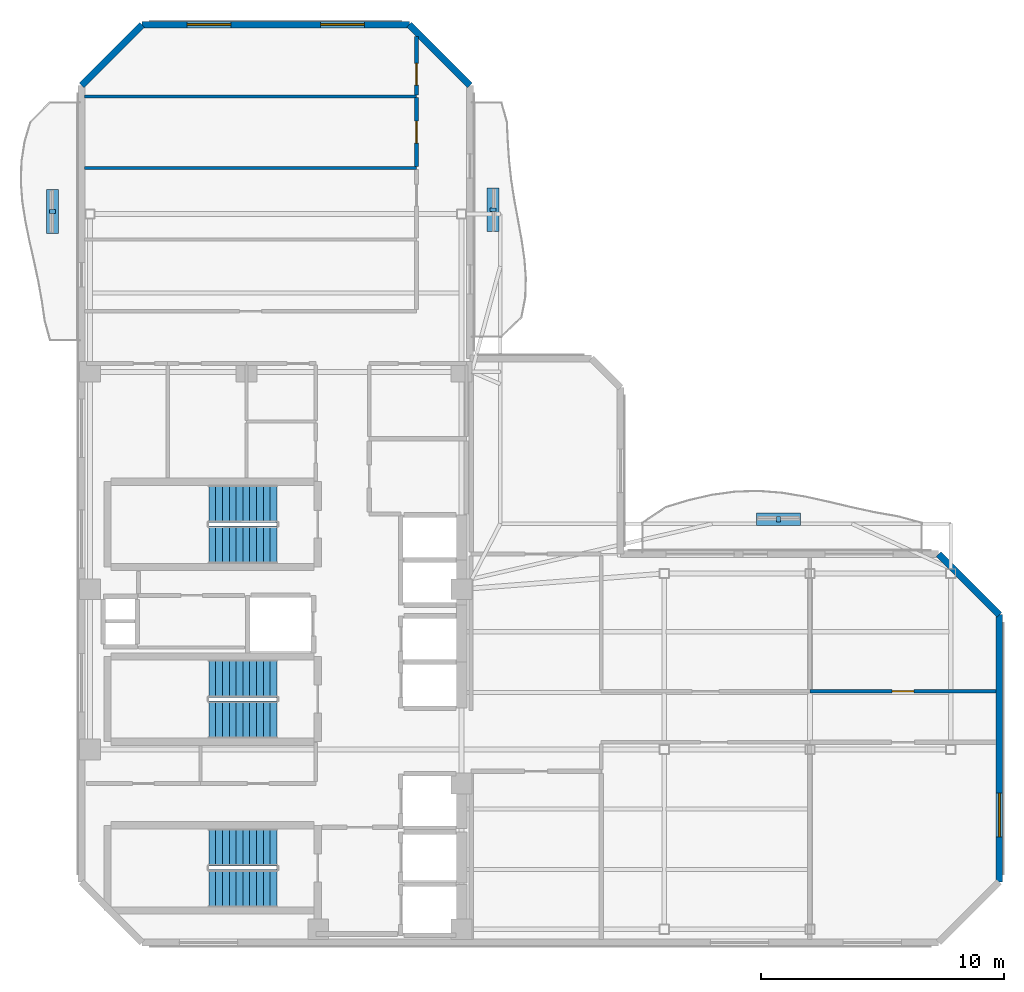
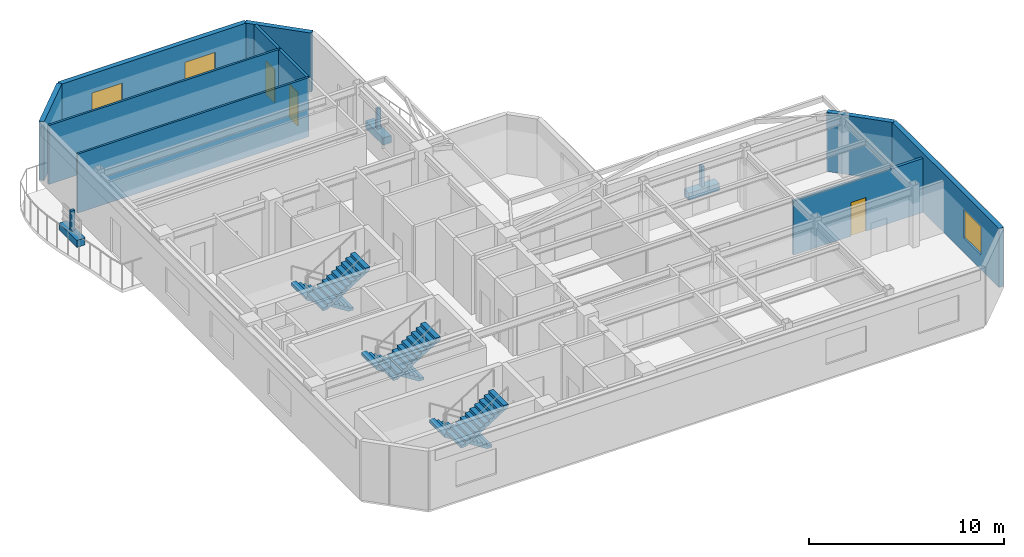
# One storey, part 5 of 8: 10 walls, 6 discrete accessories, 6 stair flights, 3 doors, 3 windows, 6 openings, 3 elements without a shape of their own.
"""IFC4 building model written with IfcOpenShell, lengths in metres."""

from ifc_helpers import new_model, si_unit, direction, frame, frame_2d, origin, origin_2d, place, context, subcontext, project, spatial, polyline, rectangle, outline, extrude, material, layer, layer_set, type_object, element, fill, aggregate, save


model = new_model("IFC4")

# Units and contexts
model_context = context("Model", 3, precision=1e-05, world=origin(), true_north=direction((0.0, 1.0)))
body_context = subcontext(model_context, "Body", "Model", "MODEL_VIEW")
ifc_project = project(units=[si_unit("LENGTHUNIT", "METRE"), si_unit("AREAUNIT", "SQUARE_METRE"), si_unit("VOLUMEUNIT", "CUBIC_METRE"), si_unit("PLANEANGLEUNIT", "RADIAN"), si_unit("MASSUNIT", "GRAM", prefix="KILO")], contexts=[model_context])

# Site, building, storey
site_placement = place(None, origin())
site = spatial("IfcSite", under=ifc_project, at=site_placement, CompositionType="ELEMENT")
building_placement = place(site_placement, origin())
building = spatial("IfcBuilding", under=site, at=building_placement, Name="Mawjaban Terraces University", CompositionType="ELEMENT")
storey_placement = place(building_placement, frame((0.0, 0.0, 263.800048828125)))
storey = spatial("IfcBuildingStorey", under=building, at=storey_placement, Name="L64", CompositionType="ELEMENT", Elevation=263.800048828125)

# Wall, opening, door
ifc_material_1 = material(Name="Fire-rated gypsum board on steel stud", Category="steel")
ifc_layer_1 = layer(ifc_material_1, 0.159912109375)
ifc_layer_set_1 = layer_set([ifc_layer_1], Name="Fire-rated gypsum board on steel stud")
wall_type_1 = type_object("IfcWallType", Name="CorridorPartition_160", PredefinedType="PARTITIONING", material=ifc_layer_set_1)
wall_1_placement = place(storey_placement, frame((59.6669921875, 10.35009765625, 0.0), z_axis=(0.0, 0.0, 1.0), x_axis=(-1.0, 0.0, 0.0)))
wall_1 = element("IfcWall", 1, at=wall_1_placement, inside=storey, type_object=wall_type_1, Name="L64 Upper East Research Corridor Partition 23", PredefinedType="PARTITIONING", context=body_context, shape_type="SweptSolid", body=[
    extrude(rectangle(XDim=7.6669921875, YDim=0.159912109375, at=frame_2d((3.83349609375, 0.0))), origin(), (0.0, 0.0, 1.0), 3.3720703125),
])
opening_1_placement = place(wall_1_placement, frame((3.384033203125, 0.0, 0.0)))
opening_1 = element("IfcOpeningElement", 2, at=opening_1_placement, cuts=wall_1, Name="Opening ID-090", PredefinedType="OPENING", context=body_context, shape_type="SweptSolid", body=[
    extrude(rectangle(XDim=0.89990234375, YDim=2.10009765625, at=frame_2d((0.449951171875, 1.050048828125))), frame((0.0, 0.08984375, 0.0), z_axis=(0.0, -1.0, 0.0), x_axis=(1.0, 0.0, 0.0)), (0.0, 0.0, 1.0), 0.179931640625),
])
ifc_material_2 = material(Name="Powder-coated steel frame and solid acoustic timber leaf", Category="steel")
door_type = type_object("IfcDoorType", Name="OfficeDoor_900x2100", OperationType="NOTDEFINED", PredefinedType="DOOR", material=ifc_material_2)
door_1_placement = place(opening_1_placement, origin())
door_1 = element("IfcDoor", 3, at=door_1_placement, inside=storey, type_object=door_type, Name="L64 Faculty Office 5 Door", OperationType="SINGLE_SWING_LEFT", OverallHeight=2.10009765625, OverallWidth=0.89990234375, PredefinedType="DOOR", context=body_context, shape_type="SweptSolid", body=[
    extrude(rectangle(XDim=0.89990234375, YDim=2.10009765625, at=frame_2d((0.449951171875, 1.050048828125))), frame((0.0, 0.02490234375, 0.0), z_axis=(0.0, -1.0, 0.0), x_axis=(1.0, 0.0, 0.0)), (0.0, 0.0, 1.0), 0.050048828125),
])
fill(opening_1, door_1)

wall_2_placement = place(storey_placement, frame((35.800048828125, 34.79296875, 0.0), z_axis=(0.0, 0.0, 1.0), x_axis=(0.0, -1.0, 0.0)))
wall_2 = element("IfcWall", 4, at=wall_2_placement, inside=storey, type_object=wall_type_1, Name="L64 Upper North Research Gallery Partition 36", PredefinedType="PARTITIONING", context=body_context, shape_type="SweptSolid", body=[
    extrude(rectangle(XDim=2.8359375, YDim=0.159912109375, at=frame_2d((1.41796875, 0.0))), origin(), (0.0, 0.0, 1.0), 3.68994140625),
])
opening_2_placement = place(wall_2_placement, frame((0.968017578125, 0.0, 0.0)))
opening_2 = element("IfcOpeningElement", 5, at=opening_2_placement, cuts=wall_2, Name="Opening ID-090", PredefinedType="OPENING", context=body_context, shape_type="SweptSolid", body=[
    extrude(rectangle(XDim=0.89990234375, YDim=2.10009765625, at=frame_2d((0.449951171875, 1.050048828125))), frame((0.0, 0.08984375, 0.0), z_axis=(0.0, -1.0, 0.0), x_axis=(1.0, 0.0, 0.0)), (0.0, 0.0, 1.0), 0.179931640625),
])
door_2_placement = place(opening_2_placement, origin())
door_2 = element("IfcDoor", 6, at=door_2_placement, inside=storey, type_object=door_type, Name="L64 Faculty Office 8 Door", OperationType="SINGLE_SWING_RIGHT", OverallHeight=2.10009765625, OverallWidth=0.89990234375, PredefinedType="DOOR", context=body_context, shape_type="SweptSolid", body=[
    extrude(rectangle(XDim=0.89990234375, YDim=2.10009765625, at=frame_2d((0.449951171875, 1.050048828125))), frame((0.0, 0.02490234375, 0.0), z_axis=(0.0, -1.0, 0.0), x_axis=(1.0, 0.0, 0.0)), (0.0, 0.0, 1.0), 0.050048828125),
])
fill(opening_2, door_2)

wall_3_placement = place(storey_placement, frame((35.800048828125, 37.31298828125, 0.0), z_axis=(0.0, 0.0, 1.0), x_axis=(0.0, -1.0, 0.0)))
wall_3 = element("IfcWall", 7, at=wall_3_placement, inside=storey, type_object=wall_type_1, Name="L64 Upper North Research Gallery Partition 37", PredefinedType="PARTITIONING", context=body_context, shape_type="SweptSolid", body=[
    extrude(rectangle(XDim=2.406005859375, YDim=0.159912109375, at=frame_2d((1.203125, 0.0))), origin(), (0.0, 0.0, 1.0), 3.68994140625),
])
opening_3_placement = place(wall_3_placement, frame((1.10302734375, 0.0, 0.0)))
opening_3 = element("IfcOpeningElement", 8, at=opening_3_placement, cuts=wall_3, Name="Opening ID-090", PredefinedType="OPENING", context=body_context, shape_type="SweptSolid", body=[
    extrude(rectangle(XDim=0.89990234375, YDim=2.10009765625, at=frame_2d((0.449951171875, 1.050048828125))), frame((0.0, 0.08984375, 0.0), z_axis=(0.0, -1.0, 0.0), x_axis=(1.0, 0.0, 0.0)), (0.0, 0.0, 1.0), 0.179931640625),
])
door_3_placement = place(opening_3_placement, origin())
door_3 = element("IfcDoor", 9, at=door_3_placement, inside=storey, type_object=door_type, Name="L64 Departmental Office 9 Door", OperationType="SINGLE_SWING_LEFT", OverallHeight=2.10009765625, OverallWidth=0.89990234375, PredefinedType="DOOR", context=body_context, shape_type="SweptSolid", body=[
    extrude(rectangle(XDim=0.89990234375, YDim=2.10009765625, at=frame_2d((0.449951171875, 1.050048828125))), frame((0.0, 0.02490234375, 0.0), z_axis=(0.0, -1.0, 0.0), x_axis=(1.0, 0.0, 0.0)), (0.0, 0.0, 1.0), 0.050048828125),
])
fill(opening_3, door_3)

# Wall, opening, window
ifc_material_3 = material(Name="Insulated terracotta rainscreen on concrete backup C40/50", Category="masonry")
ifc_layer_2 = layer(ifc_material_3, 0.27490234375)
ifc_layer_set_2 = layer_set([ifc_layer_2], Name="Insulated terracotta rainscreen on concrete backup C40/50")
wall_type_2 = type_object("IfcWallType", Name="ExtTerracottaWall_275", PredefinedType="SOLIDWALL", material=ifc_layer_set_2)
wall_4_placement = place(storey_placement, frame((59.800048828125, 2.5, 0.0), z_axis=(0.0, 0.0, 1.0), x_axis=(0.0, 1.0, 0.0)))
wall_4 = element("IfcWall", 10, at=wall_4_placement, inside=storey, type_object=wall_type_2, Name="L64 Exterior Terracotta Wall 3", PredefinedType="SOLIDWALL", context=body_context, shape_type="SweptSolid", body=[
    extrude(rectangle(XDim=11.0, YDim=0.27490234375, at=frame_2d((5.5, 0.0))), origin(), (0.0, 0.0, 1.0), 3.68994140625),
])
opening_4_placement = place(wall_4_placement, frame((1.85009765625, 0.0, 0.89990234375)))
opening_4 = element("IfcOpeningElement", 11, at=opening_4_placement, cuts=wall_4, Name="Opening W-07", PredefinedType="OPENING", context=body_context, shape_type="SweptSolid", body=[
    extrude(rectangle(XDim=1.800048828125, YDim=1.800048828125, at=frame_2d((0.89990234375, 0.89990234375))), frame((0.0, 0.1474609375, 0.0), z_axis=(0.0, -1.0, 0.0), x_axis=(1.0, 0.0, 0.0)), (0.0, 0.0, 1.0), 0.294921875),
])
ifc_material_4 = material(Name="Low-E solar-control double glazing in thermally broken aluminium frame", Category="aluminium")
window_type_1 = type_object("IfcWindowType", Name="Win_1800x1800", PartitioningType="SINGLE_PANEL", PredefinedType="WINDOW", material=ifc_material_4)
window_1_placement = place(opening_4_placement, origin())
window_1 = element("IfcWindow", 12, at=window_1_placement, inside=storey, type_object=window_type_1, Name="L64 Facade Window 3.1", OverallHeight=1.800048828125, OverallWidth=1.800048828125, PartitioningType="SINGLE_PANEL", PredefinedType="WINDOW", context=body_context, shape_type="SweptSolid", body=[
    extrude(rectangle(XDim=1.800048828125, YDim=1.800048828125, at=frame_2d((0.89990234375, 0.89990234375))), frame((0.0, 0.030029296875, 0.0), z_axis=(0.0, -1.0, 0.0), x_axis=(1.0, 0.0, 0.0)), (0.0, 0.0, 1.0), 0.06005859375),
])
fill(opening_4, window_1)

# Walls
for number, where, z_axis, x_axis, name in (
    (13, (59.800048828125, 13.5, 0.0), (0.0, 0.0, 1.0), (-0.707106781187, 0.707106781187, 0.0), "L64 Exterior Terracotta Wall 4"),
    (14, (38.0, 35.300048828125, 0.0), (0.0, 0.0, 1.0), (-0.707106781187, 0.707106781187, 0.0), "L64 Exterior Terracotta Wall 10"),
):
    element("IfcWall", number, at=place(storey_placement, frame(where, z_axis=z_axis, x_axis=x_axis)), inside=storey, type_object=wall_type_2, Name=name, PredefinedType="SOLIDWALL", context=body_context, shape_type="SweptSolid", body=[
        extrude(rectangle(XDim=3.53564453125, YDim=0.27490234375, at=frame_2d((1.767822265625, 0.0))), origin(), (0.0, 0.0, 1.0), 3.68994140625),
    ])

# Wall, openings, windows
wall_5_placement = place(storey_placement, frame((35.5, 37.800048828125, 0.0), z_axis=(0.0, 0.0, 1.0), x_axis=(-1.0, 0.0, 0.0)))
wall_5 = element("IfcWall", 15, at=wall_5_placement, inside=storey, type_object=wall_type_2, Name="L64 Exterior Terracotta Wall 11", PredefinedType="SOLIDWALL", context=body_context, shape_type="SweptSolid", body=[
    extrude(rectangle(XDim=11.0, YDim=0.27490234375, at=frame_2d((5.5, 0.0))), origin(), (0.0, 0.0, 1.0), 3.68994140625),
])
opening_5_placement = place(wall_5_placement, frame((1.85009765625, 0.0, 0.89990234375)))
opening_5 = element("IfcOpeningElement", 16, at=opening_5_placement, cuts=wall_5, Name="Opening W-03", PredefinedType="OPENING", context=body_context, shape_type="SweptSolid", body=[
    extrude(rectangle(XDim=1.800048828125, YDim=1.60009765625, at=frame_2d((0.89990234375, 0.800048828125))), frame((0.0, 0.1474609375, 0.0), z_axis=(0.0, -1.0, 0.0), x_axis=(1.0, 0.0, 0.0)), (0.0, 0.0, 1.0), 0.294921875),
])
opening_6_placement = place(wall_5_placement, frame((7.35009765625, 0.0, 0.89990234375)))
opening_6 = element("IfcOpeningElement", 17, at=opening_6_placement, cuts=wall_5, Name="Opening W-03", PredefinedType="OPENING", context=body_context, shape_type="SweptSolid", body=[
    extrude(rectangle(XDim=1.800048828125, YDim=1.60009765625, at=frame_2d((0.89990234375, 0.800048828125))), frame((0.0, 0.1474609375, 0.0), z_axis=(0.0, -1.0, 0.0), x_axis=(1.0, 0.0, 0.0)), (0.0, 0.0, 1.0), 0.294921875),
])
window_type_2 = type_object("IfcWindowType", Name="Win_1800x1600", PartitioningType="SINGLE_PANEL", PredefinedType="WINDOW", material=ifc_material_4)
window_2_placement = place(opening_5_placement, origin())
window_2 = element("IfcWindow", 18, at=window_2_placement, inside=storey, type_object=window_type_2, Name="L64 Facade Window 11.1", OverallHeight=1.60009765625, OverallWidth=1.800048828125, PartitioningType="SINGLE_PANEL", PredefinedType="WINDOW", context=body_context, shape_type="SweptSolid", body=[
    extrude(rectangle(XDim=1.800048828125, YDim=1.60009765625, at=frame_2d((0.89990234375, 0.800048828125))), frame((0.0, 0.030029296875, 0.0), z_axis=(0.0, -1.0, 0.0), x_axis=(1.0, 0.0, 0.0)), (0.0, 0.0, 1.0), 0.06005859375),
])
fill(opening_5, window_2)
window_3_placement = place(opening_6_placement, origin())
window_3 = element("IfcWindow", 19, at=window_3_placement, inside=storey, type_object=window_type_2, Name="L64 Facade Window 11.2", OverallHeight=1.60009765625, OverallWidth=1.800048828125, PartitioningType="SINGLE_PANEL", PredefinedType="WINDOW", context=body_context, shape_type="SweptSolid", body=[
    extrude(rectangle(XDim=1.800048828125, YDim=1.60009765625, at=frame_2d((0.89990234375, 0.800048828125))), frame((0.0, 0.030029296875, 0.0), z_axis=(0.0, -1.0, 0.0), x_axis=(1.0, 0.0, 0.0)), (0.0, 0.0, 1.0), 0.06005859375),
])
fill(opening_6, window_3)

# Walls
wall_6_placement = place(storey_placement, frame((24.5, 37.800048828125, 0.0), z_axis=(0.0, 0.0, 1.0), x_axis=(-0.707106781187, -0.707106781187, 0.0)))
element("IfcWall", 20, at=wall_6_placement, inside=storey, type_object=wall_type_2, Name="L64 Exterior Terracotta Wall 12", PredefinedType="SOLIDWALL", context=body_context, shape_type="SweptSolid", body=[
    extrude(rectangle(XDim=3.53564453125, YDim=0.27490234375, at=frame_2d((1.767822265625, 0.0))), origin(), (0.0, 0.0, 1.0), 3.68994140625),
])
ifc_material_5 = material(Name="Gypsum plasterboard on steel stud", Category="steel")
ifc_layer_3 = layer(ifc_material_5, 0.125)
ifc_layer_set_3 = layer_set([ifc_layer_3], Name="Gypsum plasterboard on steel stud")
wall_type_3 = type_object("IfcWallType", Name="OfficePartition_125", PredefinedType="PARTITIONING", material=ifc_layer_set_3)
for number, where, z_axis, x_axis, name in (
    (21, (35.800048828125, 31.89990234375, 0.0), (0.0, 0.0, 1.0), (-1.0, 0.0, 0.0), "L64 Academic Workspace 7 Partition 14"),
    (22, (35.800048828125, 34.85009765625, 0.0), (0.0, 0.0, 1.0), (-1.0, 0.0, 0.0), "L64 Faculty Office 8 Partition 15"),
):
    element("IfcWall", number, at=place(storey_placement, frame(where, z_axis=z_axis, x_axis=x_axis)), inside=storey, type_object=wall_type_3, Name=name, PredefinedType="PARTITIONING", context=body_context, shape_type="SweptSolid", body=[
        extrude(rectangle(XDim=13.6669921875, YDim=0.125, at=frame_2d((6.83349609375, 0.0))), origin(), (0.0, 0.0, 1.0), 3.68994140625),
    ])

# Stair, stair flights
ifc_material_6 = material(Name="Concrete C40/50", Category="concrete")
stair_type = type_object("IfcStairType", Name="Stair_Core1550_H39", PredefinedType="HALF_TURN_STAIR", material=ifc_material_6)
stair_1_placement = place(storey_placement, origin())
stair_1 = element("IfcStair", 23, at=stair_1_placement, inside=storey, type_object=stair_type, Name="L64 Core Exit Stair 1", PredefinedType="HALF_TURN_STAIR")
stair_flight_type = type_object("IfcStairFlightType", Name="Flight_Core1550_H39", PredefinedType="STRAIGHT", material=ifc_material_6)
stair_flight_1_placement = place(storey_placement, frame((30.050048828125, 3.925048828125, 0.0), z_axis=(0.0, 0.0, 1.0), x_axis=(-1.0, 0.0, 0.0)))
stair_flight_1 = element("IfcStairFlight", 24, at=stair_flight_1_placement, type_object=stair_flight_type, Name="ST-1 flight 1", NumberOfRisers=11, NumberOfTreads=10, PredefinedType="STRAIGHT", RiserHeight=0.177272727, TreadLength=0.28, context=body_context, shape_type="SweptSolid", body=[
    extrude(outline(polyline([(0.0, 0.0), (0.0, 0.17724609375), (0.280029296875, 0.17724609375), (0.280029296875, 0.3544921875), (0.56005859375, 0.3544921875), (0.56005859375, 0.53173828125), (0.840087890625, 0.53173828125), (0.840087890625, 0.708984375), (1.1201171875, 0.708984375), (1.1201171875, 0.886474609375), (1.39990234375, 0.886474609375), (1.39990234375, 1.063720703125), (1.679931640625, 1.063720703125), (1.679931640625, 1.240966796875), (1.9599609375, 1.240966796875), (1.9599609375, 1.418212890625), (2.239990234375, 1.418212890625), (2.239990234375, 1.595458984375), (2.52001953125, 1.595458984375), (2.52001953125, 1.772705078125), (2.800048828125, 1.772705078125), (2.800048828125, 1.949951171875), (2.800048828125, 1.59521484375), (0.2802734375, 0.0), (0.0, 0.0)])), frame((0.0, 0.77490234375, 0.0), z_axis=(0.0, -1.0, 0.0), x_axis=(1.0, 0.0, 0.0)), (0.0, 0.0, 1.0), 1.550048828125),
])
stair_flight_2_placement = place(storey_placement, frame((27.25, 2.22509765625, 1.949951171875), z_axis=(0.0, 0.0, 1.0), x_axis=(1.0, 0.0, 0.0)))
stair_flight_2 = element("IfcStairFlight", 25, at=stair_flight_2_placement, type_object=stair_flight_type, Name="ST-1 flight 2", NumberOfRisers=11, NumberOfTreads=10, PredefinedType="STRAIGHT", RiserHeight=0.177272727, TreadLength=0.28, context=body_context, shape_type="SweptSolid", body=[
    extrude(outline(polyline([(0.0, 0.0), (0.0, 0.17724609375), (0.280029296875, 0.17724609375), (0.280029296875, 0.3544921875), (0.56005859375, 0.3544921875), (0.56005859375, 0.53173828125), (0.840087890625, 0.53173828125), (0.840087890625, 0.708984375), (1.1201171875, 0.708984375), (1.1201171875, 0.886474609375), (1.39990234375, 0.886474609375), (1.39990234375, 1.063720703125), (1.679931640625, 1.063720703125), (1.679931640625, 1.240966796875), (1.9599609375, 1.240966796875), (1.9599609375, 1.418212890625), (2.239990234375, 1.418212890625), (2.239990234375, 1.595458984375), (2.52001953125, 1.595458984375), (2.52001953125, 1.772705078125), (2.800048828125, 1.772705078125), (2.800048828125, 1.949951171875), (2.800048828125, 1.59521484375), (0.2802734375, 0.0), (0.0, 0.0)])), frame((0.0, 0.77490234375, 0.0), z_axis=(0.0, -1.0, 0.0), x_axis=(1.0, 0.0, 0.0)), (0.0, 0.0, 1.0), 1.550048828125),
])
aggregate(stair_1, [stair_flight_1, stair_flight_2])

stair_2_placement = place(storey_placement, origin())
stair_2 = element("IfcStair", 26, at=stair_2_placement, inside=storey, type_object=stair_type, Name="L64 Core Exit Stair 2", PredefinedType="HALF_TURN_STAIR")
stair_flight_3_placement = place(storey_placement, frame((30.050048828125, 18.074951171875, 0.0), z_axis=(0.0, 0.0, 1.0), x_axis=(-1.0, 0.0, 0.0)))
stair_flight_3 = element("IfcStairFlight", 27, at=stair_flight_3_placement, type_object=stair_flight_type, Name="ST-2 flight 1", NumberOfRisers=11, NumberOfTreads=10, PredefinedType="STRAIGHT", RiserHeight=0.177272727, TreadLength=0.28, context=body_context, shape_type="SweptSolid", body=[
    extrude(outline(polyline([(0.0, 0.0), (0.0, 0.17724609375), (0.280029296875, 0.17724609375), (0.280029296875, 0.3544921875), (0.56005859375, 0.3544921875), (0.56005859375, 0.53173828125), (0.840087890625, 0.53173828125), (0.840087890625, 0.708984375), (1.1201171875, 0.708984375), (1.1201171875, 0.886474609375), (1.39990234375, 0.886474609375), (1.39990234375, 1.063720703125), (1.679931640625, 1.063720703125), (1.679931640625, 1.240966796875), (1.9599609375, 1.240966796875), (1.9599609375, 1.418212890625), (2.239990234375, 1.418212890625), (2.239990234375, 1.595458984375), (2.52001953125, 1.595458984375), (2.52001953125, 1.772705078125), (2.800048828125, 1.772705078125), (2.800048828125, 1.949951171875), (2.800048828125, 1.59521484375), (0.2802734375, 0.0), (0.0, 0.0)])), frame((0.0, 0.77490234375, 0.0), z_axis=(0.0, -1.0, 0.0), x_axis=(1.0, 0.0, 0.0)), (0.0, 0.0, 1.0), 1.550048828125),
])
stair_flight_4_placement = place(storey_placement, frame((27.25, 16.375, 1.949951171875), z_axis=(0.0, 0.0, 1.0), x_axis=(1.0, 0.0, 0.0)))
stair_flight_4 = element("IfcStairFlight", 28, at=stair_flight_4_placement, type_object=stair_flight_type, Name="ST-2 flight 2", NumberOfRisers=11, NumberOfTreads=10, PredefinedType="STRAIGHT", RiserHeight=0.177272727, TreadLength=0.28, context=body_context, shape_type="SweptSolid", body=[
    extrude(outline(polyline([(0.0, 0.0), (0.0, 0.17724609375), (0.280029296875, 0.17724609375), (0.280029296875, 0.3544921875), (0.56005859375, 0.3544921875), (0.56005859375, 0.53173828125), (0.840087890625, 0.53173828125), (0.840087890625, 0.708984375), (1.1201171875, 0.708984375), (1.1201171875, 0.886474609375), (1.39990234375, 0.886474609375), (1.39990234375, 1.063720703125), (1.679931640625, 1.063720703125), (1.679931640625, 1.240966796875), (1.9599609375, 1.240966796875), (1.9599609375, 1.418212890625), (2.239990234375, 1.418212890625), (2.239990234375, 1.595458984375), (2.52001953125, 1.595458984375), (2.52001953125, 1.772705078125), (2.800048828125, 1.772705078125), (2.800048828125, 1.949951171875), (2.800048828125, 1.59521484375), (0.2802734375, 0.0), (0.0, 0.0)])), frame((0.0, 0.77490234375, 0.0), z_axis=(0.0, -1.0, 0.0), x_axis=(1.0, 0.0, 0.0)), (0.0, 0.0, 1.0), 1.550048828125),
])
aggregate(stair_2, [stair_flight_3, stair_flight_4])

stair_3_placement = place(storey_placement, origin())
stair_3 = element("IfcStair", 29, at=stair_3_placement, inside=storey, type_object=stair_type, Name="L64 Core Exit Stair 3", PredefinedType="HALF_TURN_STAIR")
stair_flight_5_placement = place(storey_placement, frame((30.050048828125, 10.875, 0.0), z_axis=(0.0, 0.0, 1.0), x_axis=(-1.0, 0.0, 0.0)))
stair_flight_5 = element("IfcStairFlight", 30, at=stair_flight_5_placement, type_object=stair_flight_type, Name="ST-3 flight 1", NumberOfRisers=11, NumberOfTreads=10, PredefinedType="STRAIGHT", RiserHeight=0.177272727, TreadLength=0.28, context=body_context, shape_type="SweptSolid", body=[
    extrude(outline(polyline([(0.0, 0.0), (0.0, 0.17724609375), (0.280029296875, 0.17724609375), (0.280029296875, 0.3544921875), (0.56005859375, 0.3544921875), (0.56005859375, 0.53173828125), (0.840087890625, 0.53173828125), (0.840087890625, 0.708984375), (1.1201171875, 0.708984375), (1.1201171875, 0.886474609375), (1.39990234375, 0.886474609375), (1.39990234375, 1.063720703125), (1.679931640625, 1.063720703125), (1.679931640625, 1.240966796875), (1.9599609375, 1.240966796875), (1.9599609375, 1.418212890625), (2.239990234375, 1.418212890625), (2.239990234375, 1.595458984375), (2.52001953125, 1.595458984375), (2.52001953125, 1.772705078125), (2.800048828125, 1.772705078125), (2.800048828125, 1.949951171875), (2.800048828125, 1.59521484375), (0.2802734375, 0.0), (0.0, 0.0)])), frame((0.0, 0.77490234375, 0.0), z_axis=(0.0, -1.0, 0.0), x_axis=(1.0, 0.0, 0.0)), (0.0, 0.0, 1.0), 1.550048828125),
])
stair_flight_6_placement = place(storey_placement, frame((27.25, 9.175048828125, 1.949951171875), z_axis=(0.0, 0.0, 1.0), x_axis=(1.0, 0.0, 0.0)))
stair_flight_6 = element("IfcStairFlight", 31, at=stair_flight_6_placement, type_object=stair_flight_type, Name="ST-3 flight 2", NumberOfRisers=11, NumberOfTreads=10, PredefinedType="STRAIGHT", RiserHeight=0.177272727, TreadLength=0.28, context=body_context, shape_type="SweptSolid", body=[
    extrude(outline(polyline([(0.0, 0.0), (0.0, 0.17724609375), (0.280029296875, 0.17724609375), (0.280029296875, 0.3544921875), (0.56005859375, 0.3544921875), (0.56005859375, 0.53173828125), (0.840087890625, 0.53173828125), (0.840087890625, 0.708984375), (1.1201171875, 0.708984375), (1.1201171875, 0.886474609375), (1.39990234375, 0.886474609375), (1.39990234375, 1.063720703125), (1.679931640625, 1.063720703125), (1.679931640625, 1.240966796875), (1.9599609375, 1.240966796875), (1.9599609375, 1.418212890625), (2.239990234375, 1.418212890625), (2.239990234375, 1.595458984375), (2.52001953125, 1.595458984375), (2.52001953125, 1.772705078125), (2.800048828125, 1.772705078125), (2.800048828125, 1.949951171875), (2.800048828125, 1.59521484375), (0.2802734375, 0.0), (0.0, 0.0)])), frame((0.0, 0.77490234375, 0.0), z_axis=(0.0, -1.0, 0.0), x_axis=(1.0, 0.0, 0.0)), (0.0, 0.0, 1.0), 1.550048828125),
])
aggregate(stair_3, [stair_flight_5, stair_flight_6])

# Discrete accessories
ifc_material_7 = material(Name="Stainless steel 316L", Category="steel")
discrete_accessory_type_1 = type_object("IfcDiscreteAccessoryType", Name="FacadeScreenBracket_Steel", PredefinedType="BRACKET", material=ifc_material_7)
for number, where, z_axis, x_axis, name in (
    (32, (20.81396484375, 30.10791015625, 0.419921875), (0.0, 0.0, 1.0), (0.0, 1.0, 0.0), "L64 Balcony Screen Support Bracket west"),
    (33, (50.7080078125, 17.430908203125, 0.419921875), (0.0, 0.0, 1.0), (1.0, 0.0, 0.0), "L64 Balcony Screen Support Bracket inner_north"),
    (34, (38.949951171875, 30.177001953125, 0.419921875), (0.0, 0.0, 1.0), (0.0, 1.0, 0.0), "L64 Balcony Screen Support Bracket inner_east"),
):
    element("IfcDiscreteAccessory", number, at=place(storey_placement, frame(where, z_axis=z_axis, x_axis=x_axis)), inside=storey, type_object=discrete_accessory_type_1, Name=name, PredefinedType="BRACKET", context=body_context, shape_type="SweptSolid", body=[
        extrude(rectangle(XDim=0.159912109375, YDim=0.239990234375, at=origin_2d()), origin(), (0.0, 0.0, 1.0), 1.300048828125),
    ])
ifc_material_8 = material(Name="Precast architectural terracotta planter with engineered planting soil", Category="masonry")
discrete_accessory_type_2 = type_object("IfcDiscreteAccessoryType", Name="IrrigatedPlanterTrough_450", PredefinedType="USERDEFINED", material=ifc_material_8)
for number, where, z_axis, x_axis, name in (
    (35, (20.81396484375, 30.10791015625, -0.0048828125), (0.0, 0.0, 1.0), (0.0, 1.0, 0.0), "L64 Balcony Irrigated Planter west"),
    (36, (50.7080078125, 17.430908203125, -0.0048828125), (0.0, 0.0, 1.0), (1.0, 0.0, 0.0), "L64 Balcony Irrigated Planter inner_north"),
    (37, (38.949951171875, 30.177001953125, -0.0048828125), (0.0, 0.0, 1.0), (0.0, 1.0, 0.0), "L64 Balcony Irrigated Planter inner_east"),
):
    element("IfcDiscreteAccessory", number, at=place(storey_placement, frame(where, z_axis=z_axis, x_axis=x_axis)), inside=storey, type_object=discrete_accessory_type_2, Name=name, ObjectType="PLANTER", PredefinedType="USERDEFINED", context=body_context, shape_type="SweptSolid", body=[
        extrude(rectangle(XDim=1.800048828125, YDim=0.5, at=origin_2d()), origin(), (0.0, 0.0, 1.0), 0.449951171875),
    ])

save(model, "model.ifc")
